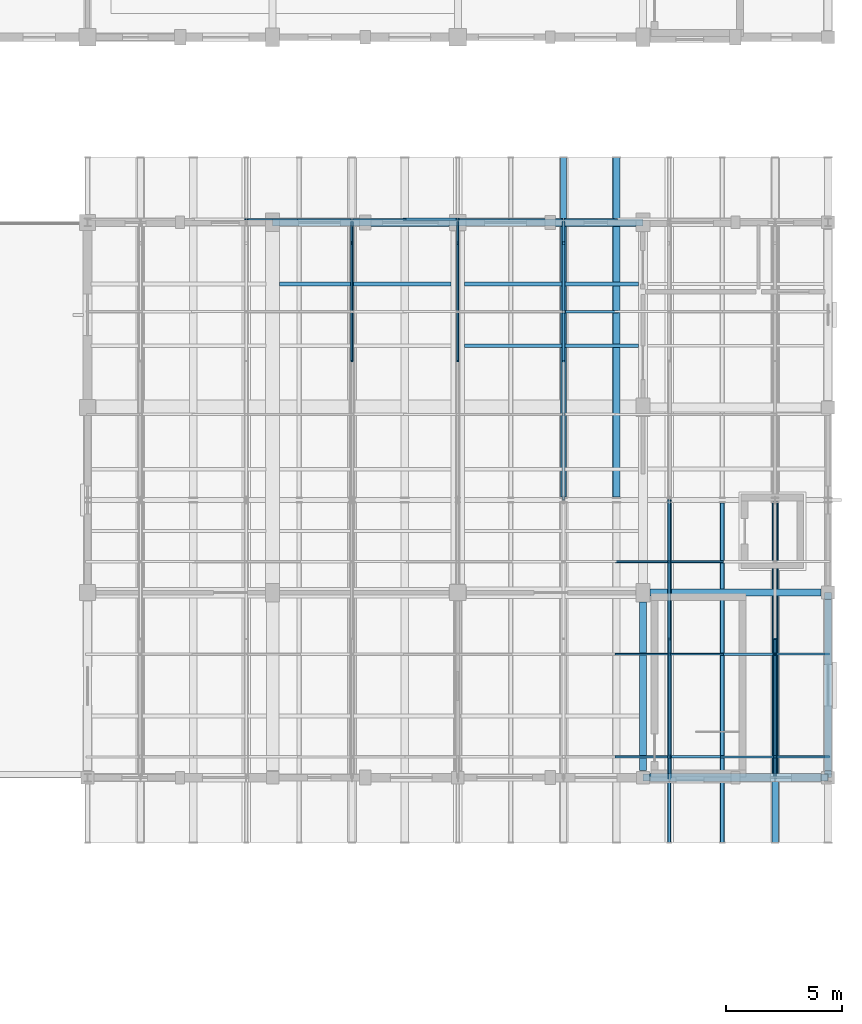
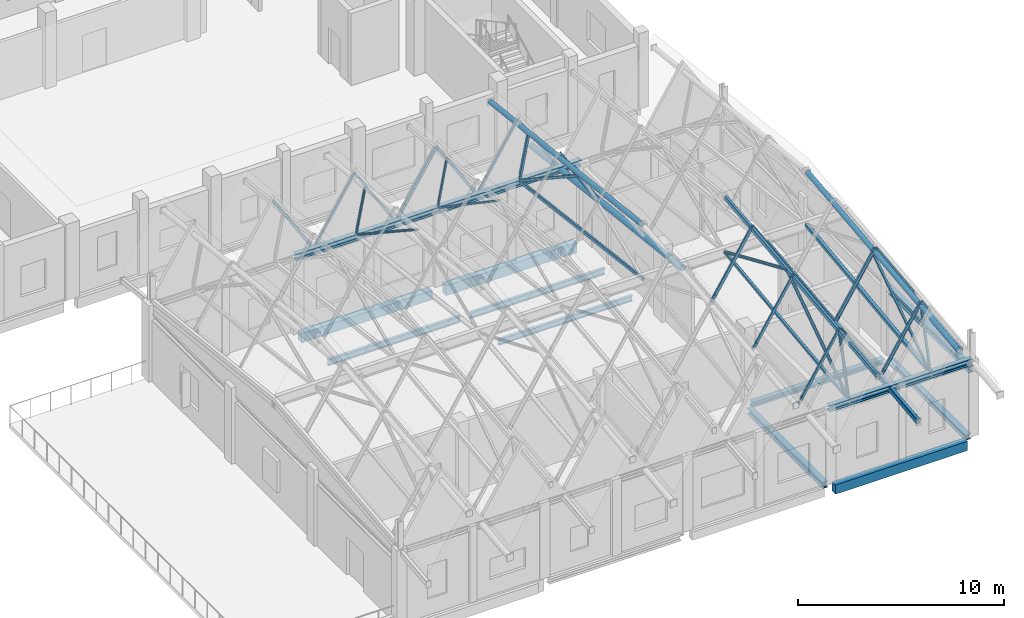
# One storey, part 23 of 77: 32 members, 18 beams.
"""IFC4 building model written with IfcOpenShell, lengths in metres."""

import ifcopenshell
import ifcopenshell.guid

model = None  # the IFC model being written
_history = None  # IfcOwnerHistory: only IFC2X3 demands one
_inside = {}  # id of a spatial element -> (the spatial element, [elements in it])
_under = {}  # id of a project, library or spatial element -> (it, [spatial elements below it])
_declared = {}  # id of a project -> (the project, [libraries it declares])
_typed = {}  # id of a type object -> (the type object, [elements of that type])
_made_of = {}  # id of a material, layer set ... -> (it, [elements and type objects made of it])


def new_model(schema):
    """Start an empty IFC model of exactly this schema.

    Asked for "IFC4X3", IfcOpenShell would pick the latest addendum, in which some entities
    have other attributes; the version numbers below select the first issue.
    IFC2X3 requires an IfcOwnerHistory on every rooted entity: one is made here for all.
    """
    global model, _history
    if schema == "IFC4X3":
        model = ifcopenshell.file(schema_version=(4, 3, 0, 0))
    else:
        model = ifcopenshell.file(schema=schema)
    _inside.clear()
    _under.clear()
    _declared.clear()
    _typed.clear()
    _made_of.clear()
    _history = None
    if model.schema == "IFC2X3":
        org = make("IfcOrganization", Name="unknown")
        user = make(
            "IfcPersonAndOrganization",
            ThePerson=make("IfcPerson", FamilyName="unknown"),
            TheOrganization=org,
        )
        app = make(
            "IfcApplication",
            ApplicationDeveloper=org,
            Version="unknown",
            ApplicationFullName="unknown",
            ApplicationIdentifier="unknown",
        )
        _history = make(
            "IfcOwnerHistory",
            OwningUser=user,
            OwningApplication=app,
            ChangeAction="ADDED",
            CreationDate=0,
        )
    return model


def make(cls, **values):
    """One entity of the class cls with the attributes given. An attribute that is None is left unset."""
    return model.create_entity(
        cls, **{name: value for name, value in values.items() if value is not None}
    )


def rooted(cls, **values):
    """An entity with a GlobalId (a new one), such as an element, a storey or a relation."""
    return make(cls, GlobalId=ifcopenshell.guid.new(), OwnerHistory=_history, **values)


def si_unit(unit_type, name, prefix=None):
    """IfcSIUnit, for example si_unit("LENGTHUNIT", "METRE", prefix="MILLI")."""
    return make("IfcSIUnit", UnitType=unit_type, Prefix=prefix, Name=name)


def assignment(units):
    """IfcUnitAssignment: the units of a project."""
    return None if units is None else make("IfcUnitAssignment", Units=units)


def point(xyz):
    """IfcCartesianPoint."""
    return None if xyz is None else make("IfcCartesianPoint", Coordinates=xyz)


def direction(xyz):
    """IfcDirection."""
    return None if xyz is None else make("IfcDirection", DirectionRatios=xyz)


def frame(location, z_axis=None, x_axis=None):
    """IfcAxis2Placement3D, a coordinate frame: its origin and axes. An axis left out is left unset."""
    return make(
        "IfcAxis2Placement3D",
        Location=point(location),
        Axis=direction(z_axis),
        RefDirection=direction(x_axis),
    )


def frame_2d(location, x_axis=None):
    """IfcAxis2Placement2D, a coordinate frame in the plane: its origin and x axis."""
    return make(
        "IfcAxis2Placement2D", Location=point(location), RefDirection=direction(x_axis)
    )


def origin():
    """The frame at (0, 0, 0) with its axes left unset."""
    return frame((0.0, 0.0, 0.0))


def origin_2d():
    """The frame at (0, 0) in the plane with its x axis left unset."""
    return frame_2d((0.0, 0.0))


def place(relative_to, where):
    """IfcLocalPlacement: puts the frame where relative to a parent placement (None: the world)."""
    return make(
        "IfcLocalPlacement", PlacementRelTo=relative_to, RelativePlacement=where
    )


def context(
    kind, dimensions, precision=None, world=None, true_north=None, identifier=None
):
    """IfcGeometricRepresentationContext, for example the 3D "Model" context."""
    return make(
        "IfcGeometricRepresentationContext",
        ContextIdentifier=identifier,
        ContextType=kind,
        CoordinateSpaceDimension=dimensions,
        Precision=precision,
        WorldCoordinateSystem=world,
        TrueNorth=true_north,
    )


def subcontext(parent, identifier, kind, view, scale=None):
    """IfcGeometricRepresentationSubContext, for example "Body" below "Model"."""
    return make(
        "IfcGeometricRepresentationSubContext",
        ContextIdentifier=identifier,
        ContextType=kind,
        ParentContext=parent,
        TargetScale=scale,
        TargetView=view,
    )


def project(units=None, contexts=None):
    """IfcProject with its units and contexts."""
    return rooted(
        "IfcProject",
        Name="project",
        RepresentationContexts=contexts,
        UnitsInContext=assignment(units),
    )


def spatial(cls, under=None, at=None, **own):
    """A site, building, storey or space (cls), placed at a placement, below another one or the project."""
    s = rooted(cls, ObjectPlacement=at, **own)
    if under is not None:
        _under.setdefault(under.id(), (under, []))[1].append(s)
    return s


def profile(cls, at=None, kind="AREA", **sizes):
    """A parametric profile (cls). Its sizes go by their IFC names, for example OverallWidth=200.0."""
    return make(cls, ProfileType=kind, Position=at, **sizes)


def rectangle(**sizes):
    """IfcRectangleProfileDef."""
    return profile("IfcRectangleProfileDef", **sizes)


def hollow_rectangle(**sizes):
    """IfcRectangleHollowProfileDef."""
    return profile("IfcRectangleHollowProfileDef", **sizes)


def hollow_circle(**sizes):
    """IfcCircleHollowProfileDef."""
    return profile("IfcCircleHollowProfileDef", **sizes)


def i_section(**sizes):
    """IfcIShapeProfileDef."""
    return profile("IfcIShapeProfileDef", **sizes)


def extrude(swept, where, along, depth):
    """IfcExtrudedAreaSolid: the profile swept, set in the frame where, extruded along a direction by depth."""
    return make(
        "IfcExtrudedAreaSolid",
        SweptArea=swept,
        Position=where,
        ExtrudedDirection=direction(along),
        Depth=depth,
    )


def shape(context_of_items, identifier, shape_type, items):
    """IfcShapeRepresentation: the items that make up one representation, for example the "Body"."""
    return make(
        "IfcShapeRepresentation",
        ContextOfItems=context_of_items,
        RepresentationIdentifier=identifier,
        RepresentationType=shape_type,
        Items=items,
    )


def material(Name=None, Category=None):
    """IfcMaterial."""
    return make("IfcMaterial", Name=Name, Category=Category)


def material_profile(
    of_material, cross_section, Name=None, Category=None, Priority=None
):
    """IfcMaterialProfile: a cross section and its material."""
    return make(
        "IfcMaterialProfile",
        Name=Name,
        Material=of_material,
        Profile=cross_section,
        Priority=Priority,
        Category=Category,
    )


def profile_set(profiles, Name=None, composite=None):
    """IfcMaterialProfileSet."""
    return make(
        "IfcMaterialProfileSet",
        Name=Name,
        MaterialProfiles=profiles,
        CompositeProfile=composite,
    )


def made_of(thing, what):
    """Note that an element or type object is made of a material, layer set ...; save() writes the relation."""
    if what is not None:
        _made_of.setdefault(what.id(), (what, []))[1].append(thing)
    return thing


def type_object(cls, material=None, **own):
    """A type object (cls), such as IfcWallType, which elements share."""
    return made_of(rooted(cls, **own), material)


def element(
    cls,
    number,
    at=None,
    inside=None,
    cuts=None,
    type_object=None,
    material=None,
    context=None,
    identifier="Body",
    shape_type=None,
    held_by="IfcProductDefinitionShape",
    body=None,
    shapes=None,
    **own,
):
    """One element of the class cls, such as IfcWall. Its Tag is "e" and its number.

    at: its placement. inside: the storey or other place that contains it. cuts: it is an
    opening in that element (IfcRelVoidsElement). A single representation is given by context,
    identifier, shape_type and body (its items); several are given by shapes. held_by: the class
    of the entity that holds the representations. save() writes the other relations.
    """
    e = rooted(cls, Tag="e%d" % number, ObjectPlacement=at, **own)
    if body is not None:
        shapes = [shape(context, identifier, shape_type, body)]
    if shapes is not None:
        e.Representation = make(held_by, Representations=shapes)
    if inside is not None:
        _inside.setdefault(inside.id(), (inside, []))[1].append(e)
    if cuts is not None:
        rooted(
            "IfcRelVoidsElement", RelatingBuildingElement=cuts, RelatedOpeningElement=e
        )
    if type_object is not None:
        _typed.setdefault(type_object.id(), (type_object, []))[1].append(e)
    return made_of(e, material)


def aggregate(whole, parts):
    """IfcRelAggregates: a whole, such as a stair, and the parts it consists of."""
    return rooted("IfcRelAggregates", RelatingObject=whole, RelatedObjects=parts)


def save(model, path):
    """Write the relations noted so far, then the file.

    IfcRelAggregates (storeys below a building ...), IfcRelContainedInSpatialStructure (elements
    in a storey), IfcRelDefinesByType, IfcRelAssociatesMaterial and IfcRelDeclares: one each for
    every whole, place, type object, material and project.
    """
    for whole, parts in _under.values():
        aggregate(whole, parts)
    for where, things in _inside.values():
        rooted(
            "IfcRelContainedInSpatialStructure",
            RelatedElements=things,
            RelatingStructure=where,
        )
    for kind, things in _typed.values():
        rooted("IfcRelDefinesByType", RelatedObjects=things, RelatingType=kind)
    for what, things in _made_of.values():
        rooted("IfcRelAssociatesMaterial", RelatedObjects=things, RelatingMaterial=what)
    for by, libraries in _declared.values():
        rooted("IfcRelDeclares", RelatingContext=by, RelatedDefinitions=libraries)
    model.write(path)


model = new_model("IFC4")

# Units and contexts
model_context = context("Model", 3, precision=1e-05, world=origin(), true_north=direction((0.0, 1.0)))
body_context = subcontext(model_context, "Body", "Model", "MODEL_VIEW")
ifc_project = project(units=[si_unit("LENGTHUNIT", "METRE"), si_unit("AREAUNIT", "SQUARE_METRE"), si_unit("VOLUMEUNIT", "CUBIC_METRE"), si_unit("PLANEANGLEUNIT", "RADIAN"), si_unit("MASSUNIT", "GRAM", prefix="KILO")], contexts=[model_context])

# Site, building, storey
site_placement = place(None, origin())
site = spatial("IfcSite", under=ifc_project, at=site_placement, CompositionType="ELEMENT")
building_placement = place(site_placement, origin())
building = spatial("IfcBuilding", under=site, at=building_placement, Name="Luwemba Playhouse", CompositionType="ELEMENT")
storey_placement = place(building_placement, frame((0.0, 0.0, 9.300048828125)))
storey = spatial("IfcBuildingStorey", under=building, at=storey_placement, Name="L02", CompositionType="ELEMENT", Elevation=9.300048828125)

# Beams
ifc_material_1 = material(Name="Steel S355", Category="steel")
ifc_material_profile_1 = material_profile(ifc_material_1, hollow_rectangle(XDim=0.14990234375, YDim=0.25, WallThickness=0.010009765625, InnerFilletRadius=0.014892578125, OuterFilletRadius=0.02490234375, at=origin_2d()))
ifc_profile_set_1 = profile_set([ifc_material_profile_1], Name="Steel S355")
beam_type_1 = type_object("IfcBeamType", Name="BM-RTG1", PredefinedType="USERDEFINED", material=ifc_profile_set_1)
beam_1_placement = place(storey_placement, frame((165.142822265625, 33.199951171875, 7.483154296875), z_axis=(0.0, 0.993768187881, 0.11146653648), x_axis=(-1.0, 0.0, 0.0)))
element("IfcBeam", 1, at=beam_1_placement, inside=storey, type_object=beam_type_1, Name="ROOF TRUSS ridge girder 0187", ObjectType="ROOF TRUSS", PredefinedType="USERDEFINED", context=body_context, shape_type="SweptSolid", body=[
    extrude(hollow_rectangle(XDim=0.14990234375, YDim=0.25, WallThickness=0.010009765625, InnerFilletRadius=0.014892578125, OuterFilletRadius=0.02490234375, at=origin_2d()), origin(), (0.0, 0.0, 1.0), 14.781982421875),
])
ifc_material_profile_2 = material_profile(ifc_material_1, hollow_rectangle(XDim=0.199951171875, YDim=0.300048828125, WallThickness=0.012451171875, InnerFilletRadius=0.018798828125, OuterFilletRadius=0.03125, at=origin_2d()))
ifc_profile_set_2 = profile_set([ifc_material_profile_2], Name="Steel S355")
beam_type_2 = type_object("IfcBeamType", Name="BM-RTG2", PredefinedType="USERDEFINED", material=ifc_profile_set_2)
beam_2_placement = place(storey_placement, frame((167.4287109375, 33.199951171875, 3.998046875), z_axis=(0.0, 0.993768187881, 0.11146653648), x_axis=(-1.0, 0.0, 0.0)))
element("IfcBeam", 2, at=beam_2_placement, inside=storey, type_object=beam_type_2, Name="ROOF TRUSS valley girder 0189", ObjectType="ROOF TRUSS", PredefinedType="USERDEFINED", context=body_context, shape_type="SweptSolid", body=[
    extrude(hollow_rectangle(XDim=0.199951171875, YDim=0.300048828125, WallThickness=0.012451171875, InnerFilletRadius=0.018798828125, OuterFilletRadius=0.03125, at=origin_2d()), origin(), (0.0, 0.0, 1.0), 14.781982421875),
])
ifc_material_profile_3 = material_profile(ifc_material_1, hollow_circle(Radius=0.136474609375, WallThickness=0.012451171875, at=origin_2d()))
ifc_profile_set_3 = profile_set([ifc_material_profile_3], Name="Steel S355")
beam_type_3 = type_object("IfcBeamType", Name="BM-RTG3", PredefinedType="USERDEFINED", material=ifc_profile_set_3)
for number, where, z_axis, x_axis, name in (
    (3, (160.5712890625, 48.110107421875, 9.021240234375), (0.0, 0.993768187881, -0.11146653648), (-1.0, 0.0, 0.0), "ROOF TRUSS ridge girder 0184"),
    (4, (169.71435546875, 33.199951171875, 7.373291015625), (0.0, 0.993768187881, 0.11146653648), (-1.0, 0.0, 0.0), "ROOF TRUSS ridge girder 0191"),
):
    element("IfcBeam", number, at=place(storey_placement, frame(where, z_axis=z_axis, x_axis=x_axis)), inside=storey, type_object=beam_type_3, Name=name, ObjectType="ROOF TRUSS", PredefinedType="USERDEFINED", context=body_context, shape_type="SweptSolid", body=[
        extrude(hollow_circle(Radius=0.136474609375, WallThickness=0.012451171875, at=origin_2d()), origin(), (0.0, 0.0, 1.0), 14.781982421875),
    ])
ifc_material_profile_4 = material_profile(ifc_material_1, hollow_circle(Radius=0.161865234375, WallThickness=0.01611328125, at=origin_2d()))
ifc_profile_set_4 = profile_set([ifc_material_profile_4], Name="Steel S355")
beam_type_4 = type_object("IfcBeamType", Name="BM-RTG4", PredefinedType="USERDEFINED", material=ifc_profile_set_4)
beam_3_placement = place(storey_placement, frame((162.857177734375, 48.110107421875, 5.6337890625), z_axis=(0.0, 0.993768187881, -0.11146653648), x_axis=(-1.0, 0.0, 0.0)))
element("IfcBeam", 5, at=beam_3_placement, inside=storey, type_object=beam_type_4, Name="ROOF TRUSS valley girder 0186", ObjectType="ROOF TRUSS", PredefinedType="USERDEFINED", context=body_context, shape_type="SweptSolid", body=[
    extrude(hollow_circle(Radius=0.161865234375, WallThickness=0.01611328125, at=origin_2d()), origin(), (0.0, 0.0, 1.0), 14.781982421875),
])
ifc_material_profile_5 = material_profile(ifc_material_1, i_section(OverallWidth=0.300048828125, OverallDepth=0.2900390625, WebThickness=0.008544921875, FlangeThickness=0.013916015625, FilletRadius=0.027099609375, at=origin_2d()))
ifc_profile_set_5 = profile_set([ifc_material_profile_5], Name="Steel S355")
beam_type_5 = type_object("IfcBeamType", Name="BM-SB03", PredefinedType="BEAM", material=ifc_profile_set_5)
beam_4_placement = place(storey_placement, frame((164.300048828125, 44.0, -0.39501953125), z_axis=(1.0, 0.0, 0.0), x_axis=(0.0, 1.0, 0.0)))
element("IfcBeam", 6, at=beam_4_placement, inside=storey, type_object=beam_type_5, Name="L02 grid girder 0705", PredefinedType="BEAM", context=body_context, shape_type="SweptSolid", body=[
    extrude(i_section(OverallWidth=0.300048828125, OverallDepth=0.2900390625, WebThickness=0.008544921875, FlangeThickness=0.013916015625, FilletRadius=0.027099609375, at=origin_2d()), origin(), (0.0, 0.0, 1.0), 7.39990234375),
])
ifc_material_profile_6 = material_profile(ifc_material_1, i_section(OverallWidth=0.300048828125, OverallDepth=0.360107421875, WebThickness=0.012451171875, FlangeThickness=0.0224609375, FilletRadius=0.027099609375, at=origin_2d()))
ifc_profile_set_6 = profile_set([ifc_material_profile_6], Name="Steel S355")
beam_type_6 = type_object("IfcBeamType", Name="BM-SB09", PredefinedType="BEAM", material=ifc_profile_set_6)
beam_5_placement = place(storey_placement, frame((164.0, 36.300048828125, -0.429931640625), z_axis=(0.0, 1.0, 0.0), x_axis=(-1.0, 0.0, 0.0)))
element("IfcBeam", 7, at=beam_5_placement, inside=storey, type_object=beam_type_6, Name="L02 transverse girder 0719", PredefinedType="BEAM", context=body_context, shape_type="SweptSolid", body=[
    extrude(i_section(OverallWidth=0.300048828125, OverallDepth=0.360107421875, WebThickness=0.012451171875, FlangeThickness=0.0224609375, FilletRadius=0.027099609375, at=origin_2d()), origin(), (0.0, 0.0, 1.0), 7.300048828125),
])
for number, where, z_axis, x_axis, name in (
    (8, (164.0, 36.0, 4.320068359375), (1.0, 0.0, 0.0), (0.0, 1.0, 0.0), "RF-V3 eave ring beam 0151"),
    (9, (148.0, 60.0, 4.320068359375), (1.0, 0.0, 0.0), (0.0, 1.0, 0.0), "RF-V3 eave ring beam 0153"),
    (10, (156.0, 60.0, 4.320068359375), (1.0, 0.0, 0.0), (0.0, 1.0, 0.0), "RF-V3 eave ring beam 0154"),
    (11, (172.0, 36.0, 3.780029296875), (0.0, 1.0, 0.0), (-1.0, 0.0, 0.0), "RF-V3 gable ring beam 0159"),
):
    element("IfcBeam", number, at=place(storey_placement, frame(where, z_axis=z_axis, x_axis=x_axis)), inside=storey, type_object=beam_type_6, Name=name, PredefinedType="BEAM", context=body_context, shape_type="SweptSolid", body=[
        extrude(i_section(OverallWidth=0.300048828125, OverallDepth=0.360107421875, WebThickness=0.012451171875, FlangeThickness=0.0224609375, FilletRadius=0.027099609375, at=origin_2d()), origin(), (0.0, 0.0, 1.0), 8.0),
    ])
ifc_material_profile_7 = material_profile(ifc_material_1, i_section(OverallWidth=0.159912109375, OverallDepth=0.330078125, WebThickness=0.007568359375, FlangeThickness=0.011474609375, FilletRadius=0.01806640625, at=origin_2d()))
ifc_profile_set_7 = profile_set([ifc_material_profile_7], Name="Steel S355")
beam_type_7 = type_object("IfcBeamType", Name="BM-SJ06", PredefinedType="JOIST", material=ifc_profile_set_7)
beam_6_placement = place(storey_placement, frame((156.2958984375, 54.666748046875, -0.4150390625), z_axis=(1.0, 0.0, 0.0), x_axis=(0.0, 1.0, 0.0)))
element("IfcBeam", 12, at=beam_6_placement, inside=storey, type_object=beam_type_7, Name="L02 composite floor joist 0420", PredefinedType="JOIST", context=body_context, shape_type="SweptSolid", body=[
    extrude(i_section(OverallWidth=0.159912109375, OverallDepth=0.330078125, WebThickness=0.007568359375, FlangeThickness=0.011474609375, FilletRadius=0.01806640625, at=origin_2d()), origin(), (0.0, 0.0, 1.0), 7.508056640625),
])
ifc_material_profile_8 = material_profile(ifc_material_1, i_section(OverallWidth=0.169921875, OverallDepth=0.360107421875, WebThickness=0.008056640625, FlangeThickness=0.0126953125, FilletRadius=0.01806640625, at=origin_2d()))
ifc_profile_set_8 = profile_set([ifc_material_profile_8], Name="Steel S355")
beam_type_8 = type_object("IfcBeamType", Name="BM-SJ07", PredefinedType="JOIST", material=ifc_profile_set_8)
beam_7_placement = place(storey_placement, frame((148.2958984375, 57.333251953125, -0.429931640625), z_axis=(1.0, 0.0, 0.0), x_axis=(0.0, 1.0, 0.0)))
element("IfcBeam", 13, at=beam_7_placement, inside=storey, type_object=beam_type_8, Name="L02 composite floor joist 0415", PredefinedType="JOIST", context=body_context, shape_type="SweptSolid", body=[
    extrude(i_section(OverallWidth=0.169921875, OverallDepth=0.360107421875, WebThickness=0.008056640625, FlangeThickness=0.0126953125, FilletRadius=0.01806640625, at=origin_2d()), origin(), (0.0, 0.0, 1.0), 7.408203125),
])
beam_8_placement = place(storey_placement, frame((156.2958984375, 57.333251953125, -0.429931640625), z_axis=(1.0, 0.0, 0.0), x_axis=(0.0, 1.0, 0.0)))
element("IfcBeam", 14, at=beam_8_placement, inside=storey, type_object=beam_type_8, Name="L02 composite floor joist 0421", PredefinedType="JOIST", context=body_context, shape_type="SweptSolid", body=[
    extrude(i_section(OverallWidth=0.169921875, OverallDepth=0.360107421875, WebThickness=0.008056640625, FlangeThickness=0.0126953125, FilletRadius=0.01806640625, at=origin_2d()), origin(), (0.0, 0.0, 1.0), 7.508056640625),
])
ifc_material_2 = material(Name="Concrete C40/50", Category="concrete")
ifc_material_profile_9 = material_profile(ifc_material_2, rectangle(XDim=0.35009765625, YDim=0.550048828125, at=origin_2d()))
ifc_profile_set_9 = profile_set([ifc_material_profile_9], Name="Concrete C40/50")
beam_type_9 = type_object("IfcBeamType", Name="BM-SP2", PredefinedType="SPANDREL", material=ifc_profile_set_9)
beam_9_placement = place(storey_placement, frame((164.300048828125, 36.0, -0.525146484375), z_axis=(1.0, 0.0, 0.0), x_axis=(0.0, 1.0, 0.0)))
element("IfcBeam", 15, at=beam_9_placement, inside=storey, type_object=beam_type_9, Name="L02 grid girder 0701", PredefinedType="SPANDREL", context=body_context, shape_type="SweptSolid", body=[
    extrude(rectangle(XDim=0.35009765625, YDim=0.550048828125, at=origin_2d()), origin(), (0.0, 0.0, 1.0), 7.39990234375),
])
beam_10_placement = place(storey_placement, frame((148.300048828125, 60.0, -0.525146484375), z_axis=(1.0, 0.0, 0.0), x_axis=(0.0, 1.0, 0.0)))
element("IfcBeam", 16, at=beam_10_placement, inside=storey, type_object=beam_type_9, Name="L02 grid girder 0709", PredefinedType="SPANDREL", context=body_context, shape_type="SweptSolid", body=[
    extrude(rectangle(XDim=0.35009765625, YDim=0.550048828125, at=origin_2d()), origin(), (0.0, 0.0, 1.0), 7.324951171875),
])
ifc_material_profile_10 = material_profile(ifc_material_2, rectangle(XDim=0.35009765625, YDim=0.60009765625, at=origin_2d()))
ifc_profile_set_10 = profile_set([ifc_material_profile_10], Name="Concrete C40/50")
beam_type_10 = type_object("IfcBeamType", Name="BM-SP3", PredefinedType="SPANDREL", material=ifc_profile_set_10)
beam_11_placement = place(storey_placement, frame((156.375, 60.0, -0.550048828125), z_axis=(1.0, 0.0, 0.0), x_axis=(0.0, 1.0, 0.0)))
element("IfcBeam", 17, at=beam_11_placement, inside=storey, type_object=beam_type_10, Name="L02 grid girder 0710", PredefinedType="SPANDREL", context=body_context, shape_type="SweptSolid", body=[
    extrude(rectangle(XDim=0.35009765625, YDim=0.60009765625, at=origin_2d()), origin(), (0.0, 0.0, 1.0), 7.324951171875),
])
ifc_material_profile_11 = material_profile(ifc_material_1, i_section(OverallWidth=0.300048828125, OverallDepth=0.300048828125, WebThickness=0.010986328125, FlangeThickness=0.01904296875, FilletRadius=0.027099609375, at=origin_2d()))
ifc_profile_set_11 = profile_set([ifc_material_profile_11], Name="Steel S355")
beam_type_11 = type_object("IfcBeamType", Name="BM-SSP1", PredefinedType="SPANDREL", material=ifc_profile_set_11)
beam_12_placement = place(storey_placement, frame((172.0, 36.300048828125, -0.400146484375), z_axis=(0.0, 1.0, 0.0), x_axis=(-1.0, 0.0, 0.0)))
element("IfcBeam", 18, at=beam_12_placement, inside=storey, type_object=beam_type_11, Name="L02 transverse girder 0722", PredefinedType="SPANDREL", context=body_context, shape_type="SweptSolid", body=[
    extrude(i_section(OverallWidth=0.300048828125, OverallDepth=0.300048828125, WebThickness=0.010986328125, FlangeThickness=0.01904296875, FilletRadius=0.027099609375, at=origin_2d()), origin(), (0.0, 0.0, 1.0), 7.39990234375),
])

# Members
ifc_material_profile_12 = material_profile(ifc_material_1, hollow_circle(Radius=0.06982421875, WallThickness=0.008056640625, at=origin_2d()))
ifc_profile_set_12 = profile_set([ifc_material_profile_12], Name="Steel S355")
member_type_1 = type_object("IfcMemberType", Name="MEM-MB01", PredefinedType="BRACE", material=ifc_profile_set_12)
member_1_placement = place(storey_placement, frame((151.4287109375, 60.0, 4.39990234375), z_axis=(0.0, -0.834580678747, 0.550885732854), x_axis=(1.0, 0.0, 0.0)))
element("IfcMember", 19, at=member_1_placement, inside=storey, type_object=member_type_1, Name="ROOF TRUSS web diagonal 0156", PredefinedType="BRACE", context=body_context, shape_type="SweptSolid", body=[
    extrude(hollow_circle(Radius=0.06982421875, WallThickness=0.008056640625, at=origin_2d()), origin(), (0.0, 0.0, 1.0), 7.189208984375),
])
member_2_placement = place(storey_placement, frame((151.4287109375, 60.0, 4.39990234375), z_axis=(0.0, -0.256682973169, 0.966495655078), x_axis=(1.0, 0.0, 0.0)))
element("IfcMember", 20, at=member_2_placement, inside=storey, type_object=member_type_1, Name="ROOF TRUSS eave knee strut 0035", PredefinedType="BRACE", context=body_context, shape_type="SweptSolid", body=[
    extrude(hollow_circle(Radius=0.06982421875, WallThickness=0.008056640625, at=origin_2d()), origin(), (0.0, 0.0, 1.0), 3.505859375),
])
ifc_material_profile_13 = material_profile(ifc_material_1, hollow_circle(Radius=0.084228515625, WallThickness=0.008056640625, at=origin_2d()))
ifc_profile_set_13 = profile_set([ifc_material_profile_13], Name="Steel S355")
member_type_2 = type_object("IfcMemberType", Name="MEM-MB02", PredefinedType="BRACE", material=ifc_profile_set_13)
member_3_placement = place(storey_placement, frame((165.142822265625, 36.0, 4.39990234375), z_axis=(0.0, 0.827547289688, 0.561396012926), x_axis=(-1.0, 0.0, 0.0)))
element("IfcMember", 21, at=member_3_placement, inside=storey, type_object=member_type_2, Name="ROOF TRUSS web diagonal 0171", PredefinedType="BRACE", context=body_context, shape_type="SweptSolid", body=[
    extrude(hollow_circle(Radius=0.084228515625, WallThickness=0.008056640625, at=origin_2d()), origin(), (0.0, 0.0, 1.0), 7.250244140625),
])
member_4_placement = place(storey_placement, frame((165.142822265625, 48.0, 5.865966796875), z_axis=(0.0, -0.917318518715, 0.398154160121), x_axis=(1.0, 0.0, 0.0)))
element("IfcMember", 22, at=member_4_placement, inside=storey, type_object=member_type_2, Name="ROOF TRUSS web diagonal 0172", PredefinedType="BRACE", context=body_context, shape_type="SweptSolid", body=[
    extrude(hollow_circle(Radius=0.084228515625, WallThickness=0.008056640625, at=origin_2d()), origin(), (0.0, 0.0, 1.0), 6.540771484375),
])
member_5_placement = place(storey_placement, frame((165.142822265625, 36.0, 4.39990234375), z_axis=(0.0, 0.249129793449, 0.968470105897), x_axis=(-1.0, 0.0, 0.0)))
element("IfcMember", 23, at=member_5_placement, inside=storey, type_object=member_type_2, Name="ROOF TRUSS eave knee strut 0040", PredefinedType="BRACE", context=body_context, shape_type="SweptSolid", body=[
    extrude(hollow_circle(Radius=0.084228515625, WallThickness=0.008056640625, at=origin_2d()), origin(), (0.0, 0.0, 1.0), 3.6123046875),
])
ifc_material_profile_14 = material_profile(ifc_material_1, hollow_rectangle(XDim=0.10009765625, YDim=0.10009765625, WallThickness=0.00634765625, InnerFilletRadius=0.009521484375, OuterFilletRadius=0.015869140625, at=origin_2d()))
ifc_profile_set_14 = profile_set([ifc_material_profile_14], Name="Steel S355")
member_type_3 = type_object("IfcMemberType", Name="MEM-MB05", PredefinedType="BRACE", material=ifc_profile_set_14)
member_6_placement = place(storey_placement, frame((156.0, 60.0, 4.39990234375), z_axis=(0.0, -0.827531645808, 0.561419072695), x_axis=(1.0, 0.0, 0.0)))
element("IfcMember", 24, at=member_6_placement, inside=storey, type_object=member_type_3, Name="ROOF TRUSS web diagonal 0162", PredefinedType="BRACE", context=body_context, shape_type="SweptSolid", body=[
    extrude(hollow_rectangle(XDim=0.10009765625, YDim=0.10009765625, WallThickness=0.00634765625, InnerFilletRadius=0.009521484375, OuterFilletRadius=0.015869140625, at=origin_2d()), origin(), (0.0, 0.0, 1.0), 7.25048828125),
])
member_7_placement = place(storey_placement, frame((156.0, 60.0, 4.39990234375), z_axis=(0.0, -0.249113487175, 0.968474300386), x_axis=(1.0, 0.0, 0.0)))
element("IfcMember", 25, at=member_7_placement, inside=storey, type_object=member_type_3, Name="ROOF TRUSS eave knee strut 0037", PredefinedType="BRACE", context=body_context, shape_type="SweptSolid", body=[
    extrude(hollow_rectangle(XDim=0.10009765625, YDim=0.10009765625, WallThickness=0.00634765625, InnerFilletRadius=0.009521484375, OuterFilletRadius=0.015869140625, at=origin_2d()), origin(), (0.0, 0.0, 1.0), 3.6123046875),
])
ifc_material_profile_15 = material_profile(ifc_material_1, hollow_rectangle(XDim=0.1201171875, YDim=0.1201171875, WallThickness=0.008056640625, InnerFilletRadius=0.011962890625, OuterFilletRadius=0.02001953125, at=origin_2d()))
ifc_profile_set_15 = profile_set([ifc_material_profile_15], Name="Steel S355")
member_type_4 = type_object("IfcMemberType", Name="MEM-MB06", PredefinedType="BRACE", material=ifc_profile_set_15)
member_8_placement = place(storey_placement, frame((169.71435546875, 36.0, 4.39990234375), z_axis=(0.0, 0.834580678747, 0.550885732854), x_axis=(-1.0, 0.0, 0.0)))
element("IfcMember", 26, at=member_8_placement, inside=storey, type_object=member_type_4, Name="ROOF TRUSS web diagonal 0177", PredefinedType="BRACE", context=body_context, shape_type="SweptSolid", body=[
    extrude(hollow_rectangle(XDim=0.1201171875, YDim=0.1201171875, WallThickness=0.008056640625, InnerFilletRadius=0.011962890625, OuterFilletRadius=0.02001953125, at=origin_2d()), origin(), (0.0, 0.0, 1.0), 7.189208984375),
])
member_9_placement = place(storey_placement, frame((169.71435546875, 36.0, 4.39990234375), z_axis=(0.0, 0.256682973169, 0.966495655078), x_axis=(-1.0, 0.0, 0.0)))
element("IfcMember", 27, at=member_9_placement, inside=storey, type_object=member_type_4, Name="ROOF TRUSS eave knee strut 0042", PredefinedType="BRACE", context=body_context, shape_type="SweptSolid", body=[
    extrude(hollow_rectangle(XDim=0.1201171875, YDim=0.1201171875, WallThickness=0.008056640625, InnerFilletRadius=0.011962890625, OuterFilletRadius=0.02001953125, at=origin_2d()), origin(), (0.0, 0.0, 1.0), 3.505859375),
])
ifc_material_profile_16 = material_profile(ifc_material_1, hollow_rectangle(XDim=0.139892578125, YDim=0.139892578125, WallThickness=0.008056640625, InnerFilletRadius=0.011962890625, OuterFilletRadius=0.02001953125, at=origin_2d()))
ifc_profile_set_16 = profile_set([ifc_material_profile_16], Name="Steel S355")
member_type_5 = type_object("IfcMemberType", Name="MEM-MB07", PredefinedType="BRACE", material=ifc_profile_set_16)
member_10_placement = place(storey_placement, frame((160.5712890625, 60.0, 4.39990234375), z_axis=(0.0, -0.834565065681, 0.550909385602), x_axis=(1.0, 0.0, 0.0)))
element("IfcMember", 28, at=member_10_placement, inside=storey, type_object=member_type_5, Name="ROOF TRUSS web diagonal 0168", PredefinedType="BRACE", context=body_context, shape_type="SweptSolid", body=[
    extrude(hollow_rectangle(XDim=0.139892578125, YDim=0.139892578125, WallThickness=0.008056640625, InnerFilletRadius=0.011962890625, OuterFilletRadius=0.02001953125, at=origin_2d()), origin(), (0.0, 0.0, 1.0), 7.189453125),
])
member_11_placement = place(storey_placement, frame((160.5712890625, 60.0, 4.39990234375), z_axis=(0.0, -0.256682973169, 0.966495655078), x_axis=(1.0, 0.0, 0.0)))
element("IfcMember", 29, at=member_11_placement, inside=storey, type_object=member_type_5, Name="ROOF TRUSS eave knee strut 0039", PredefinedType="BRACE", context=body_context, shape_type="SweptSolid", body=[
    extrude(hollow_rectangle(XDim=0.139892578125, YDim=0.139892578125, WallThickness=0.008056640625, InnerFilletRadius=0.011962890625, OuterFilletRadius=0.02001953125, at=origin_2d()), origin(), (0.0, 0.0, 1.0), 3.505859375),
])
ifc_material_profile_17 = material_profile(ifc_material_1, hollow_rectangle(XDim=0.14990234375, YDim=0.14990234375, WallThickness=0.010009765625, InnerFilletRadius=0.014892578125, OuterFilletRadius=0.02490234375, at=origin_2d()))
ifc_profile_set_17 = profile_set([ifc_material_profile_17], Name="Steel S355")
member_type_6 = type_object("IfcMemberType", Name="MEM-MC02", PredefinedType="CHORD", material=ifc_profile_set_17)
member_12_placement = place(storey_placement, frame((165.142822265625, 36.0, 4.39990234375), z_axis=(0.0, 0.99261951546, 0.121270348924), x_axis=(-1.0, 0.0, 0.0)))
element("IfcMember", 30, at=member_12_placement, inside=storey, type_object=member_type_6, Name="ROOF TRUSS south bottom chord 0169", PredefinedType="CHORD", context=body_context, shape_type="SweptSolid", body=[
    extrude(hollow_rectangle(XDim=0.14990234375, YDim=0.14990234375, WallThickness=0.010009765625, InnerFilletRadius=0.014892578125, OuterFilletRadius=0.02490234375, at=origin_2d()), origin(), (0.0, 0.0, 1.0), 12.089111328125),
])
ifc_material_profile_18 = material_profile(ifc_material_1, hollow_rectangle(XDim=0.199951171875, YDim=0.199951171875, WallThickness=0.012451171875, InnerFilletRadius=0.018798828125, OuterFilletRadius=0.03125, at=origin_2d()))
ifc_profile_set_18 = profile_set([ifc_material_profile_18], Name="Steel S355")
member_type_7 = type_object("IfcMemberType", Name="MEM-MC04", PredefinedType="CHORD", material=ifc_profile_set_18)
member_13_placement = place(storey_placement, frame((169.71435546875, 36.0, 4.39990234375), z_axis=(0.0, 0.99261951546, 0.121270348924), x_axis=(-1.0, 0.0, 0.0)))
element("IfcMember", 31, at=member_13_placement, inside=storey, type_object=member_type_7, Name="ROOF TRUSS south bottom chord 0175", PredefinedType="CHORD", context=body_context, shape_type="SweptSolid", body=[
    extrude(hollow_rectangle(XDim=0.199951171875, YDim=0.199951171875, WallThickness=0.012451171875, InnerFilletRadius=0.018798828125, OuterFilletRadius=0.03125, at=origin_2d()), origin(), (0.0, 0.0, 1.0), 12.089111328125),
])
ifc_material_profile_19 = material_profile(ifc_material_1, hollow_rectangle(XDim=0.1201171875, YDim=0.199951171875, WallThickness=0.010009765625, InnerFilletRadius=0.014892578125, OuterFilletRadius=0.02490234375, at=origin_2d()))
ifc_profile_set_19 = profile_set([ifc_material_profile_19], Name="Steel S355")
member_type_8 = type_object("IfcMemberType", Name="MEM-MC05", PredefinedType="CHORD", material=ifc_profile_set_19)
member_14_placement = place(storey_placement, frame((160.5712890625, 48.0, 5.865966796875), z_axis=(0.0, 0.99261951546, -0.121270348924), x_axis=(-1.0, 0.0, 0.0)))
element("IfcMember", 32, at=member_14_placement, inside=storey, type_object=member_type_8, Name="ROOF TRUSS north bottom chord 0164", PredefinedType="CHORD", context=body_context, shape_type="SweptSolid", body=[
    extrude(hollow_rectangle(XDim=0.1201171875, YDim=0.199951171875, WallThickness=0.010009765625, InnerFilletRadius=0.014892578125, OuterFilletRadius=0.02490234375, at=origin_2d()), origin(), (0.0, 0.0, 1.0), 12.089111328125),
])
ifc_material_profile_20 = material_profile(ifc_material_1, hollow_rectangle(XDim=0.080078125, YDim=0.1201171875, WallThickness=0.00634765625, InnerFilletRadius=0.009521484375, OuterFilletRadius=0.015869140625, at=origin_2d()))
ifc_profile_set_20 = profile_set([ifc_material_profile_20], Name="Steel S355")
member_type_9 = type_object("IfcMemberType", Name="MEM-MP01", PredefinedType="PURLIN", material=ifc_profile_set_20)
for number, where, z_axis, x_axis, name in (
    (33, (151.4287109375, 60.135986328125, 7.98193359375), (0.530309496681, 0.0, -0.847804126984), (0.0, 1.0, 0.0), "Pleated roof purlin 0312"),
    (34, (160.5712890625, 60.135986328125, 7.98193359375), (0.530375678473, 0.0, -0.847762726053), (0.0, 1.0, 0.0), "Pleated roof purlin 0336"),
    (35, (165.142822265625, 41.340087890625, 8.59619140625), (0.530350209601, 0.0, -0.847778659307), (0.0, 1.0, 0.0), "Pleated roof purlin 0344"),
):
    element("IfcMember", number, at=place(storey_placement, frame(where, z_axis=z_axis, x_axis=x_axis)), inside=storey, type_object=member_type_9, Name=name, PredefinedType="PURLIN", context=body_context, shape_type="SweptSolid", body=[
        extrude(hollow_rectangle(XDim=0.080078125, YDim=0.1201171875, WallThickness=0.00634765625, InnerFilletRadius=0.009521484375, OuterFilletRadius=0.015869140625, at=origin_2d()), origin(), (0.0, 0.0, 1.0), 4.31005859375),
    ])
ifc_material_profile_21 = material_profile(ifc_material_1, hollow_rectangle(XDim=0.10009765625, YDim=0.14990234375, WallThickness=0.008056640625, InnerFilletRadius=0.011962890625, OuterFilletRadius=0.02001953125, at=origin_2d()))
ifc_profile_set_21 = profile_set([ifc_material_profile_21], Name="Steel S355")
member_type_10 = type_object("IfcMemberType", Name="MEM-MP02", PredefinedType="PURLIN", material=ifc_profile_set_21)
for number, where, z_axis, x_axis, name in (
    (36, (162.857177734375, 36.89990234375, 4.4130859375), (0.530309496681, 0.0, 0.847804126984), (0.0, 1.0, 0.0), "Pleated roof purlin 0337"),
    (37, (165.142822265625, 45.3359375, 9.013427734375), (0.530350209601, 0.0, -0.847778659307), (0.0, 1.0, 0.0), "Pleated roof purlin 0345"),
):
    element("IfcMember", number, at=place(storey_placement, frame(where, z_axis=z_axis, x_axis=x_axis)), inside=storey, type_object=member_type_10, Name=name, PredefinedType="PURLIN", context=body_context, shape_type="SweptSolid", body=[
        extrude(hollow_rectangle(XDim=0.10009765625, YDim=0.14990234375, WallThickness=0.008056640625, InnerFilletRadius=0.011962890625, OuterFilletRadius=0.02001953125, at=origin_2d()), origin(), (0.0, 0.0, 1.0), 4.31005859375),
    ])
ifc_material_profile_22 = material_profile(ifc_material_1, hollow_rectangle(XDim=0.080078125, YDim=0.159912109375, WallThickness=0.00634765625, InnerFilletRadius=0.009521484375, OuterFilletRadius=0.015869140625, at=origin_2d()))
ifc_profile_set_22 = profile_set([ifc_material_profile_22], Name="Steel S355")
member_type_11 = type_object("IfcMemberType", Name="MEM-MP03", PredefinedType="PURLIN", material=ifc_profile_set_22)
for number, where, z_axis, x_axis, name in (
    (38, (149.142822265625, 60.135986328125, 4.30810546875), (0.530350209601, 0.0, 0.847778659307), (0.0, 1.0, 0.0), "Pleated roof purlin 0306"),
    (39, (158.28564453125, 60.135986328125, 4.307861328125), (0.530309496681, 0.0, 0.847804126984), (0.0, 1.0, 0.0), "Pleated roof purlin 0330"),
    (40, (162.857177734375, 41.340087890625, 4.922119140625), (0.530309496681, 0.0, 0.847804126984), (0.0, 1.0, 0.0), "Pleated roof purlin 0338"),
):
    element("IfcMember", number, at=place(storey_placement, frame(where, z_axis=z_axis, x_axis=x_axis)), inside=storey, type_object=member_type_11, Name=name, PredefinedType="PURLIN", context=body_context, shape_type="SweptSolid", body=[
        extrude(hollow_rectangle(XDim=0.080078125, YDim=0.159912109375, WallThickness=0.00634765625, InnerFilletRadius=0.009521484375, OuterFilletRadius=0.015869140625, at=origin_2d()), origin(), (0.0, 0.0, 1.0), 4.31005859375),
    ])
ifc_material_profile_23 = material_profile(ifc_material_1, hollow_rectangle(XDim=0.10009765625, YDim=0.179931640625, WallThickness=0.008056640625, InnerFilletRadius=0.011962890625, OuterFilletRadius=0.02001953125, at=origin_2d()))
ifc_profile_set_23 = profile_set([ifc_material_profile_23], Name="Steel S355")
member_type_12 = type_object("IfcMemberType", Name="MEM-MP04", PredefinedType="PURLIN", material=ifc_profile_set_23)
member_15_placement = place(storey_placement, frame((162.857177734375, 45.3359375, 5.34423828125), z_axis=(0.530284030201, 0.0, 0.847820055975), x_axis=(0.0, 1.0, 0.0)))
element("IfcMember", 41, at=member_15_placement, inside=storey, type_object=member_type_12, Name="Pleated roof purlin 0339", PredefinedType="PURLIN", context=body_context, shape_type="SweptSolid", body=[
    extrude(hollow_rectangle(XDim=0.10009765625, YDim=0.179931640625, WallThickness=0.008056640625, InnerFilletRadius=0.011962890625, OuterFilletRadius=0.02001953125, at=origin_2d()), origin(), (0.0, 0.0, 1.0), 4.310302734375),
])
member_16_placement = place(storey_placement, frame((169.71435546875, 36.89990234375, 8.05224609375), z_axis=(0.530309496681, 0.0, -0.847804126984), x_axis=(0.0, 1.0, 0.0)))
element("IfcMember", 42, at=member_16_placement, inside=storey, type_object=member_type_12, Name="Pleated roof purlin 0355", PredefinedType="PURLIN", context=body_context, shape_type="SweptSolid", body=[
    extrude(hollow_rectangle(XDim=0.10009765625, YDim=0.179931640625, WallThickness=0.008056640625, InnerFilletRadius=0.011962890625, OuterFilletRadius=0.02001953125, at=origin_2d()), origin(), (0.0, 0.0, 1.0), 4.31005859375),
])
ifc_material_profile_24 = material_profile(ifc_material_1, i_section(OverallWidth=0.08203125, OverallDepth=0.159912109375, WebThickness=0.0048828125, FlangeThickness=0.00732421875, FilletRadius=0.009033203125, at=origin_2d()))
ifc_profile_set_24 = profile_set([ifc_material_profile_24], Name="Steel S355")
member_type_13 = type_object("IfcMemberType", Name="MEM-MP05", PredefinedType="PURLIN", material=ifc_profile_set_24)
member_17_placement = place(storey_placement, frame((146.857177734375, 60.135986328125, 7.96044921875), z_axis=(0.530284030201, 0.0, -0.847820055975), x_axis=(0.0, 1.0, 0.0)))
element("IfcMember", 43, at=member_17_placement, inside=storey, type_object=member_type_13, Name="Pleated roof purlin 0300", PredefinedType="PURLIN", context=body_context, shape_type="SweptSolid", body=[
    extrude(i_section(OverallWidth=0.08203125, OverallDepth=0.159912109375, WebThickness=0.0048828125, FlangeThickness=0.00732421875, FilletRadius=0.009033203125, at=origin_2d()), origin(), (0.0, 0.0, 1.0), 4.310302734375),
])
member_18_placement = place(storey_placement, frame((156.0, 60.135986328125, 7.96044921875), z_axis=(0.530309496681, 0.0, -0.847804126984), x_axis=(0.0, 1.0, 0.0)))
element("IfcMember", 44, at=member_18_placement, inside=storey, type_object=member_type_13, Name="Pleated roof purlin 0324", PredefinedType="PURLIN", context=body_context, shape_type="SweptSolid", body=[
    extrude(i_section(OverallWidth=0.08203125, OverallDepth=0.159912109375, WebThickness=0.0048828125, FlangeThickness=0.00732421875, FilletRadius=0.009033203125, at=origin_2d()), origin(), (0.0, 0.0, 1.0), 4.31005859375),
])
member_19_placement = place(storey_placement, frame((169.71435546875, 41.340087890625, 8.574462890625), z_axis=(0.530334965128, 0.0, -0.847788195697), x_axis=(0.0, 1.0, 0.0)))
element("IfcMember", 45, at=member_19_placement, inside=storey, type_object=member_type_13, Name="Pleated roof purlin 0356", PredefinedType="PURLIN", context=body_context, shape_type="SweptSolid", body=[
    extrude(i_section(OverallWidth=0.08203125, OverallDepth=0.159912109375, WebThickness=0.0048828125, FlangeThickness=0.00732421875, FilletRadius=0.009033203125, at=origin_2d()), origin(), (0.0, 0.0, 1.0), 4.309814453125),
])
ifc_material_profile_25 = material_profile(ifc_material_1, i_section(OverallWidth=0.091064453125, OverallDepth=0.179931640625, WebThickness=0.00537109375, FlangeThickness=0.008056640625, FilletRadius=0.009033203125, at=origin_2d()))
ifc_profile_set_25 = profile_set([ifc_material_profile_25], Name="Steel S355")
member_type_14 = type_object("IfcMemberType", Name="MEM-MP06", PredefinedType="PURLIN", material=ifc_profile_set_25)
member_20_placement = place(storey_placement, frame((167.4287109375, 36.89990234375, 4.405517578125), z_axis=(0.530334965128, 0.0, 0.847788195697), x_axis=(0.0, 1.0, 0.0)))
element("IfcMember", 46, at=member_20_placement, inside=storey, type_object=member_type_14, Name="Pleated roof purlin 0349", PredefinedType="PURLIN", context=body_context, shape_type="SweptSolid", body=[
    extrude(i_section(OverallWidth=0.091064453125, OverallDepth=0.179931640625, WebThickness=0.00537109375, FlangeThickness=0.008056640625, FilletRadius=0.009033203125, at=origin_2d()), origin(), (0.0, 0.0, 1.0), 4.309814453125),
])
ifc_material_profile_26 = material_profile(ifc_material_1, i_section(OverallWidth=0.10009765625, OverallDepth=0.199951171875, WebThickness=0.005615234375, FlangeThickness=0.008544921875, FilletRadius=0.011962890625, at=origin_2d()))
ifc_profile_set_26 = profile_set([ifc_material_profile_26], Name="Steel S355")
member_type_15 = type_object("IfcMemberType", Name="MEM-MP07", PredefinedType="PURLIN", material=ifc_profile_set_26)
for number, where, z_axis, x_axis, name in (
    (47, (153.71435546875, 60.135986328125, 4.27197265625), (0.530309496681, 0.0, 0.847804126984), (0.0, 1.0, 0.0), "Pleated roof purlin 0318"),
    (48, (167.4287109375, 41.340087890625, 4.88623046875), (0.530309496681, 0.0, 0.847804126984), (0.0, 1.0, 0.0), "Pleated roof purlin 0350"),
):
    element("IfcMember", number, at=place(storey_placement, frame(where, z_axis=z_axis, x_axis=x_axis)), inside=storey, type_object=member_type_15, Name=name, PredefinedType="PURLIN", context=body_context, shape_type="SweptSolid", body=[
        extrude(i_section(OverallWidth=0.10009765625, OverallDepth=0.199951171875, WebThickness=0.005615234375, FlangeThickness=0.008544921875, FilletRadius=0.011962890625, at=origin_2d()), origin(), (0.0, 0.0, 1.0), 4.31005859375),
    ])
ifc_material_profile_27 = material_profile(ifc_material_1, i_section(OverallWidth=0.110107421875, OverallDepth=0.219970703125, WebThickness=0.005859375, FlangeThickness=0.00927734375, FilletRadius=0.011962890625, at=origin_2d()))
ifc_profile_set_27 = profile_set([ifc_material_profile_27], Name="Steel S355")
member_type_16 = type_object("IfcMemberType", Name="MEM-MP08", PredefinedType="PURLIN", material=ifc_profile_set_27)
for number, where, z_axis, x_axis, name in (
    (49, (160.5712890625, 56.139892578125, 8.356201171875), (0.530350209601, 0.0, -0.847778659307), (0.0, 1.0, 0.0), "Pleated roof purlin 0335"),
    (50, (165.142822265625, 36.89990234375, 8.024169921875), (0.530350209601, 0.0, -0.847778659307), (0.0, 1.0, 0.0), "Pleated roof purlin 0343"),
):
    element("IfcMember", number, at=place(storey_placement, frame(where, z_axis=z_axis, x_axis=x_axis)), inside=storey, type_object=member_type_16, Name=name, PredefinedType="PURLIN", context=body_context, shape_type="SweptSolid", body=[
        extrude(i_section(OverallWidth=0.110107421875, OverallDepth=0.219970703125, WebThickness=0.005859375, FlangeThickness=0.00927734375, FilletRadius=0.011962890625, at=origin_2d()), origin(), (0.0, 0.0, 1.0), 4.31005859375),
    ])

save(model, "model.ifc")
